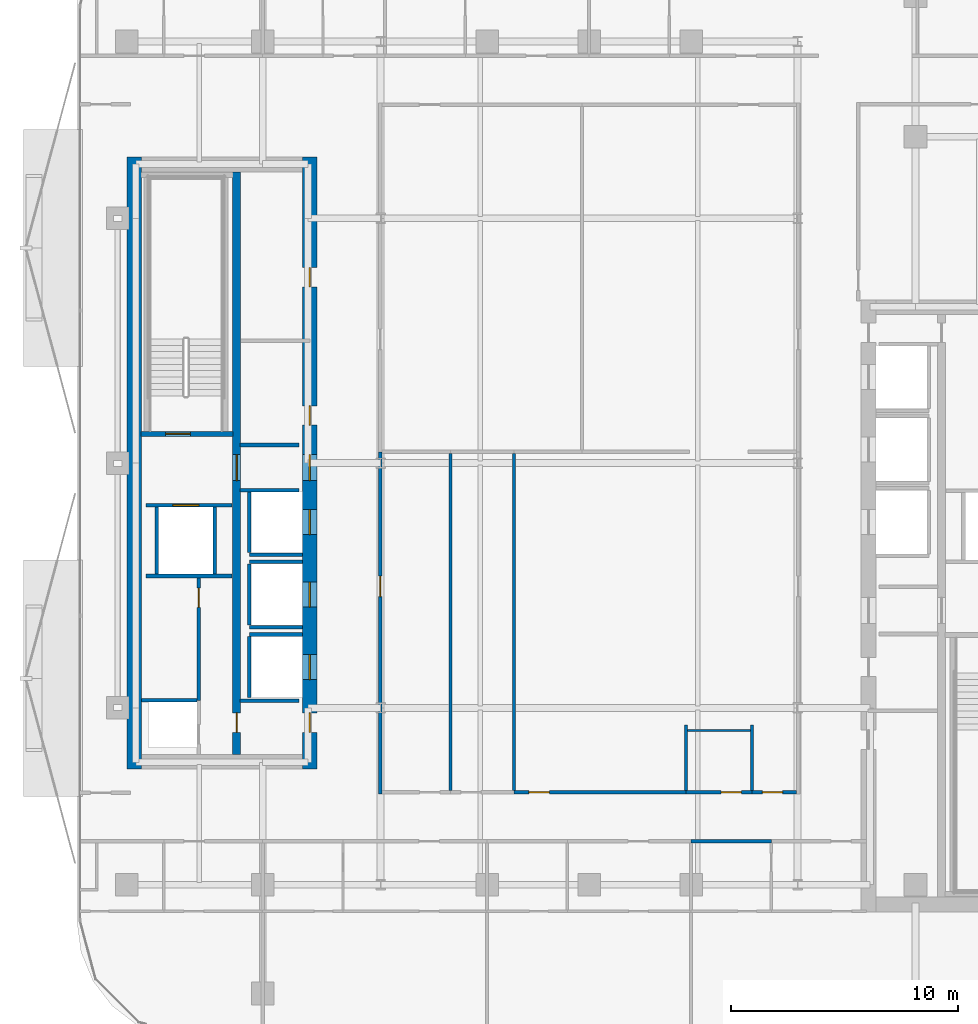
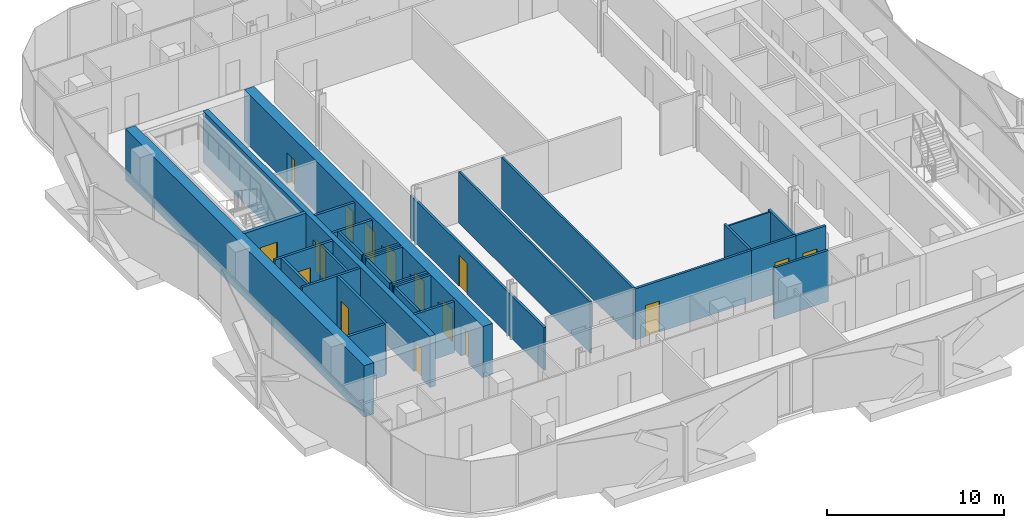
# One storey, part 4 of 17: 30 walls, 16 doors, 16 openings.
"""IFC4 building model written with IfcOpenShell, lengths in metres."""

import ifcopenshell
import ifcopenshell.guid

model = None  # the IFC model being written
_history = None  # IfcOwnerHistory: only IFC2X3 demands one
_inside = {}  # id of a spatial element -> (the spatial element, [elements in it])
_under = {}  # id of a project, library or spatial element -> (it, [spatial elements below it])
_declared = {}  # id of a project -> (the project, [libraries it declares])
_typed = {}  # id of a type object -> (the type object, [elements of that type])
_made_of = {}  # id of a material, layer set ... -> (it, [elements and type objects made of it])


def new_model(schema):
    """Start an empty IFC model of exactly this schema.

    Asked for "IFC4X3", IfcOpenShell would pick the latest addendum, in which some entities
    have other attributes; the version numbers below select the first issue.
    IFC2X3 requires an IfcOwnerHistory on every rooted entity: one is made here for all.
    """
    global model, _history
    if schema == "IFC4X3":
        model = ifcopenshell.file(schema_version=(4, 3, 0, 0))
    else:
        model = ifcopenshell.file(schema=schema)
    _inside.clear()
    _under.clear()
    _declared.clear()
    _typed.clear()
    _made_of.clear()
    _history = None
    if model.schema == "IFC2X3":
        org = make("IfcOrganization", Name="unknown")
        user = make(
            "IfcPersonAndOrganization",
            ThePerson=make("IfcPerson", FamilyName="unknown"),
            TheOrganization=org,
        )
        app = make(
            "IfcApplication",
            ApplicationDeveloper=org,
            Version="unknown",
            ApplicationFullName="unknown",
            ApplicationIdentifier="unknown",
        )
        _history = make(
            "IfcOwnerHistory",
            OwningUser=user,
            OwningApplication=app,
            ChangeAction="ADDED",
            CreationDate=0,
        )
    return model


def make(cls, **values):
    """One entity of the class cls with the attributes given. An attribute that is None is left unset."""
    return model.create_entity(
        cls, **{name: value for name, value in values.items() if value is not None}
    )


def rooted(cls, **values):
    """An entity with a GlobalId (a new one), such as an element, a storey or a relation."""
    return make(cls, GlobalId=ifcopenshell.guid.new(), OwnerHistory=_history, **values)


def si_unit(unit_type, name, prefix=None):
    """IfcSIUnit, for example si_unit("LENGTHUNIT", "METRE", prefix="MILLI")."""
    return make("IfcSIUnit", UnitType=unit_type, Prefix=prefix, Name=name)


def assignment(units):
    """IfcUnitAssignment: the units of a project."""
    return None if units is None else make("IfcUnitAssignment", Units=units)


def point(xyz):
    """IfcCartesianPoint."""
    return None if xyz is None else make("IfcCartesianPoint", Coordinates=xyz)


def direction(xyz):
    """IfcDirection."""
    return None if xyz is None else make("IfcDirection", DirectionRatios=xyz)


def frame(location, z_axis=None, x_axis=None):
    """IfcAxis2Placement3D, a coordinate frame: its origin and axes. An axis left out is left unset."""
    return make(
        "IfcAxis2Placement3D",
        Location=point(location),
        Axis=direction(z_axis),
        RefDirection=direction(x_axis),
    )


def frame_2d(location, x_axis=None):
    """IfcAxis2Placement2D, a coordinate frame in the plane: its origin and x axis."""
    return make(
        "IfcAxis2Placement2D", Location=point(location), RefDirection=direction(x_axis)
    )


def origin():
    """The frame at (0, 0, 0) with its axes left unset."""
    return frame((0.0, 0.0, 0.0))


def place(relative_to, where):
    """IfcLocalPlacement: puts the frame where relative to a parent placement (None: the world)."""
    return make(
        "IfcLocalPlacement", PlacementRelTo=relative_to, RelativePlacement=where
    )


def context(
    kind, dimensions, precision=None, world=None, true_north=None, identifier=None
):
    """IfcGeometricRepresentationContext, for example the 3D "Model" context."""
    return make(
        "IfcGeometricRepresentationContext",
        ContextIdentifier=identifier,
        ContextType=kind,
        CoordinateSpaceDimension=dimensions,
        Precision=precision,
        WorldCoordinateSystem=world,
        TrueNorth=true_north,
    )


def subcontext(parent, identifier, kind, view, scale=None):
    """IfcGeometricRepresentationSubContext, for example "Body" below "Model"."""
    return make(
        "IfcGeometricRepresentationSubContext",
        ContextIdentifier=identifier,
        ContextType=kind,
        ParentContext=parent,
        TargetScale=scale,
        TargetView=view,
    )


def project(units=None, contexts=None):
    """IfcProject with its units and contexts."""
    return rooted(
        "IfcProject",
        Name="project",
        RepresentationContexts=contexts,
        UnitsInContext=assignment(units),
    )


def spatial(cls, under=None, at=None, **own):
    """A site, building, storey or space (cls), placed at a placement, below another one or the project."""
    s = rooted(cls, ObjectPlacement=at, **own)
    if under is not None:
        _under.setdefault(under.id(), (under, []))[1].append(s)
    return s


def profile(cls, at=None, kind="AREA", **sizes):
    """A parametric profile (cls). Its sizes go by their IFC names, for example OverallWidth=200.0."""
    return make(cls, ProfileType=kind, Position=at, **sizes)


def rectangle(**sizes):
    """IfcRectangleProfileDef."""
    return profile("IfcRectangleProfileDef", **sizes)


def extrude(swept, where, along, depth):
    """IfcExtrudedAreaSolid: the profile swept, set in the frame where, extruded along a direction by depth."""
    return make(
        "IfcExtrudedAreaSolid",
        SweptArea=swept,
        Position=where,
        ExtrudedDirection=direction(along),
        Depth=depth,
    )


def shape(context_of_items, identifier, shape_type, items):
    """IfcShapeRepresentation: the items that make up one representation, for example the "Body"."""
    return make(
        "IfcShapeRepresentation",
        ContextOfItems=context_of_items,
        RepresentationIdentifier=identifier,
        RepresentationType=shape_type,
        Items=items,
    )


def material(Name=None, Category=None):
    """IfcMaterial."""
    return make("IfcMaterial", Name=Name, Category=Category)


def layer(
    of_material, thickness, ventilated=None, Name=None, Category=None, Priority=None
):
    """IfcMaterialLayer: one layer of a wall or slab, of a material (None: an air gap)."""
    return make(
        "IfcMaterialLayer",
        Material=of_material,
        LayerThickness=thickness,
        IsVentilated=ventilated,
        Name=Name,
        Category=Category,
        Priority=Priority,
    )


def layer_set(layers, Name=None):
    """IfcMaterialLayerSet."""
    return make("IfcMaterialLayerSet", MaterialLayers=layers, LayerSetName=Name)


def made_of(thing, what):
    """Note that an element or type object is made of a material, layer set ...; save() writes the relation."""
    if what is not None:
        _made_of.setdefault(what.id(), (what, []))[1].append(thing)
    return thing


def type_object(cls, material=None, **own):
    """A type object (cls), such as IfcWallType, which elements share."""
    return made_of(rooted(cls, **own), material)


def element(
    cls,
    number,
    at=None,
    inside=None,
    cuts=None,
    type_object=None,
    material=None,
    context=None,
    identifier="Body",
    shape_type=None,
    held_by="IfcProductDefinitionShape",
    body=None,
    shapes=None,
    **own,
):
    """One element of the class cls, such as IfcWall. Its Tag is "e" and its number.

    at: its placement. inside: the storey or other place that contains it. cuts: it is an
    opening in that element (IfcRelVoidsElement). A single representation is given by context,
    identifier, shape_type and body (its items); several are given by shapes. held_by: the class
    of the entity that holds the representations. save() writes the other relations.
    """
    e = rooted(cls, Tag="e%d" % number, ObjectPlacement=at, **own)
    if body is not None:
        shapes = [shape(context, identifier, shape_type, body)]
    if shapes is not None:
        e.Representation = make(held_by, Representations=shapes)
    if inside is not None:
        _inside.setdefault(inside.id(), (inside, []))[1].append(e)
    if cuts is not None:
        rooted(
            "IfcRelVoidsElement", RelatingBuildingElement=cuts, RelatedOpeningElement=e
        )
    if type_object is not None:
        _typed.setdefault(type_object.id(), (type_object, []))[1].append(e)
    return made_of(e, material)


def fill(opening, filler):
    """IfcRelFillsElement: the door or window that sits in an opening."""
    return rooted(
        "IfcRelFillsElement",
        RelatingOpeningElement=opening,
        RelatedBuildingElement=filler,
    )


def aggregate(whole, parts):
    """IfcRelAggregates: a whole, such as a stair, and the parts it consists of."""
    return rooted("IfcRelAggregates", RelatingObject=whole, RelatedObjects=parts)


def save(model, path):
    """Write the relations noted so far, then the file.

    IfcRelAggregates (storeys below a building ...), IfcRelContainedInSpatialStructure (elements
    in a storey), IfcRelDefinesByType, IfcRelAssociatesMaterial and IfcRelDeclares: one each for
    every whole, place, type object, material and project.
    """
    for whole, parts in _under.values():
        aggregate(whole, parts)
    for where, things in _inside.values():
        rooted(
            "IfcRelContainedInSpatialStructure",
            RelatedElements=things,
            RelatingStructure=where,
        )
    for kind, things in _typed.values():
        rooted("IfcRelDefinesByType", RelatedObjects=things, RelatingType=kind)
    for what, things in _made_of.values():
        rooted("IfcRelAssociatesMaterial", RelatedObjects=things, RelatingMaterial=what)
    for by, libraries in _declared.values():
        rooted("IfcRelDeclares", RelatingContext=by, RelatedDefinitions=libraries)
    model.write(path)


model = new_model("IFC4")

# Units and contexts
model_context = context("Model", 3, precision=1e-05, world=origin(), true_north=direction((0.0, 1.0)))
body_context = subcontext(model_context, "Body", "Model", "MODEL_VIEW")
ifc_project = project(units=[si_unit("LENGTHUNIT", "METRE"), si_unit("AREAUNIT", "SQUARE_METRE"), si_unit("VOLUMEUNIT", "CUBIC_METRE"), si_unit("PLANEANGLEUNIT", "RADIAN"), si_unit("MASSUNIT", "GRAM", prefix="KILO")], contexts=[model_context])

# Site, building, storey
site_placement = place(None, origin())
site = spatial("IfcSite", under=ifc_project, at=site_placement, CompositionType="ELEMENT")
building_placement = place(site_placement, origin())
building = spatial("IfcBuilding", under=site, at=building_placement, Name="Khairoan Windgate Tower", CompositionType="ELEMENT")
storey_placement = place(building_placement, frame((0.0, 0.0, 176.39990234375)))
storey = spatial("IfcBuildingStorey", under=building, at=storey_placement, Name="L40", CompositionType="ELEMENT", Elevation=176.39990234375)

# Walls
ifc_material_1 = material(Name="Moisture-Resistant Gypsum Partition", Category="gypsum")
ifc_layer_1 = layer(ifc_material_1, 0.10009765625, Name="Moisture-Resistant Gypsum Partition")
ifc_layer_set_1 = layer_set([ifc_layer_1], Name="Moisture-Resistant Gypsum Partition")
wall_type_1 = type_object("IfcWallType", Name="Bathroom Wet-Area Partition Wall", PredefinedType="PARTITIONING", material=ifc_layer_set_1)
wall_1_placement = place(storey_placement, frame((4.35009765625, -11.800048828125, 0.0), z_axis=(0.0, 0.0, 1.0), x_axis=(1.0, 0.0, 0.0)))
element("IfcWall", 1, at=wall_1_placement, inside=storey, type_object=wall_type_1, Name="L40 Wet Room Side Wall 095", PredefinedType="PARTITIONING", context=body_context, shape_type="SweptSolid", body=[
    extrude(rectangle(XDim=2.760009765625, YDim=0.10009765625, at=frame_2d((1.3798828125, 0.0))), origin(), (0.0, 0.0, 1.0), 3.5400390625),
])
ifc_material_2 = material(Name="Concrete C40/50", Category="concrete")
ifc_layer_2 = layer(ifc_material_2, 0.159912109375, Name="Concrete C40/50")
ifc_layer_set_2 = layer_set([ifc_layer_2], Name="Concrete C40/50")
wall_type_2 = type_object("IfcWallType", Name="Core and Hoistway Enclosure Wall", PredefinedType="STANDARD", material=ifc_layer_set_2)
wall_2_placement = place(storey_placement, frame((-14.989990234375, -4.0400390625, 0.0), z_axis=(0.0, 0.0, 1.0), x_axis=(1.0, 0.0, 0.0)))
element("IfcWall", 2, at=wall_2_placement, inside=storey, type_object=wall_type_2, Name="L40 Lift PL4 Hoistway Divider S", PredefinedType="STANDARD", context=body_context, shape_type="SweptSolid", body=[
    extrude(rectangle(XDim=2.340087890625, YDim=0.159912109375, at=frame_2d((1.169921875, 0.0))), origin(), (0.0, 0.0, 1.0), 3.5400390625),
])
wall_3_placement = place(storey_placement, frame((-14.989990234375, -3.949951171875, 0.0), z_axis=(0.0, 0.0, 1.0), x_axis=(0.0, 1.0, 0.0)))
element("IfcWall", 3, at=wall_3_placement, inside=storey, type_object=wall_type_2, Name="L40 Lift PL4 Hoistway Back Wall", PredefinedType="STANDARD", context=body_context, shape_type="SweptSolid", body=[
    extrude(rectangle(XDim=2.699951171875, YDim=0.159912109375, at=frame_2d((1.35009765625, 0.0))), origin(), (0.0, 0.0, 1.0), 3.5400390625),
])
for number, where, z_axis, x_axis, name in (
    (4, (-14.989990234375, -7.239990234375, 0.0), (0.0, 0.0, 1.0), (1.0, 0.0, 0.0), "L40 Lift PL5 Hoistway Divider S"),
    (5, (-14.989990234375, -4.360107421875, 0.0), (0.0, 0.0, 1.0), (1.0, 0.0, 0.0), "L40 Lift PL5 Hoistway Divider N"),
):
    element("IfcWall", number, at=place(storey_placement, frame(where, z_axis=z_axis, x_axis=x_axis)), inside=storey, type_object=wall_type_2, Name=name, PredefinedType="STANDARD", context=body_context, shape_type="SweptSolid", body=[
        extrude(rectangle(XDim=2.340087890625, YDim=0.159912109375, at=frame_2d((1.169921875, 0.0))), origin(), (0.0, 0.0, 1.0), 3.5400390625),
    ])
wall_4_placement = place(storey_placement, frame((-14.989990234375, -7.14990234375, 0.0), z_axis=(0.0, 0.0, 1.0), x_axis=(0.0, 1.0, 0.0)))
element("IfcWall", 6, at=wall_4_placement, inside=storey, type_object=wall_type_2, Name="L40 Lift PL5 Hoistway Back Wall", PredefinedType="STANDARD", context=body_context, shape_type="SweptSolid", body=[
    extrude(rectangle(XDim=2.699951171875, YDim=0.159912109375, at=frame_2d((1.35009765625, 0.0))), origin(), (0.0, 0.0, 1.0), 3.5400390625),
])
wall_5_placement = place(storey_placement, frame((-14.989990234375, -7.56005859375, 0.0), z_axis=(0.0, 0.0, 1.0), x_axis=(1.0, 0.0, 0.0)))
element("IfcWall", 7, at=wall_5_placement, inside=storey, type_object=wall_type_2, Name="L40 Lift PL6 Hoistway Divider N", PredefinedType="STANDARD", context=body_context, shape_type="SweptSolid", body=[
    extrude(rectangle(XDim=2.340087890625, YDim=0.159912109375, at=frame_2d((1.169921875, 0.0))), origin(), (0.0, 0.0, 1.0), 3.5400390625),
])
wall_6_placement = place(storey_placement, frame((-14.989990234375, -10.35009765625, 0.0), z_axis=(0.0, 0.0, 1.0), x_axis=(0.0, 1.0, 0.0)))
element("IfcWall", 8, at=wall_6_placement, inside=storey, type_object=wall_type_2, Name="L40 Lift PL6 Hoistway Back Wall", PredefinedType="STANDARD", context=body_context, shape_type="SweptSolid", body=[
    extrude(rectangle(XDim=2.7001953125, YDim=0.159912109375, at=frame_2d((1.35009765625, 0.0))), origin(), (0.0, 0.0, 1.0), 3.5400390625),
])

# Wall, opening, door
wall_7_placement = place(storey_placement, frame((-19.550048828125, -1.860107421875, 0.0), z_axis=(0.0, 0.0, 1.0), x_axis=(1.0, 0.0, 0.0)))
wall_7 = element("IfcWall", 9, at=wall_7_placement, inside=storey, type_object=wall_type_2, Name="L40 Core Shaft Wall SW-FL2-L40", PredefinedType="STANDARD", context=body_context, shape_type="SweptSolid", body=[
    extrude(rectangle(XDim=3.800048828125, YDim=0.159912109375, at=frame_2d((1.89990234375, 0.0))), origin(), (0.0, 0.0, 1.0), 3.5400390625),
])
opening_1_placement = place(wall_7_placement, frame((1.179931640625, 0.0, 0.0)))
opening_1 = element("IfcOpeningElement", 10, at=opening_1_placement, cuts=wall_7, Name="Opening LD-FL", PredefinedType="OPENING", context=body_context, shape_type="SweptSolid", body=[
    extrude(rectangle(XDim=1.14990234375, YDim=2.199951171875, at=frame_2d((0.574951171875, 1.10009765625))), frame((0.0, 0.08984375, 0.0), z_axis=(0.0, -1.0, 0.0), x_axis=(1.0, 0.0, 0.0)), (0.0, 0.0, 1.0), 0.179931640625),
])
ifc_material_3 = material(Name="Steel S355", Category="steel")
door_type_1 = type_object("IfcDoorType", Name="Firefighting Lift Sliding Landing Door LD-FL 1150x2200", OperationType="DOUBLE_DOOR_SLIDING", PredefinedType="DOOR", material=ifc_material_3)
door_1_placement = place(opening_1_placement, origin())
door_1 = element("IfcDoor", 11, at=door_1_placement, inside=storey, type_object=door_type_1, Name="L40 Firefighting Lift FL2 Landing Door", OperationType="DOUBLE_DOOR_SLIDING", OverallHeight=2.199951171875, OverallWidth=1.14990234375, PredefinedType="DOOR", context=body_context, shape_type="SweptSolid", body=[
    extrude(rectangle(XDim=1.14990234375, YDim=2.199951171875, at=frame_2d((0.574951171875, 1.10009765625))), frame((0.0, 0.02490234375, 0.0), z_axis=(0.0, -1.0, 0.0), x_axis=(1.0, 0.0, 0.0)), (0.0, 0.0, 1.0), 0.050048828125),
])
fill(opening_1, door_1)

# Walls
wall_8_placement = place(storey_placement, frame((-19.550048828125, -4.97998046875, 0.0), z_axis=(0.0, 0.0, 1.0), x_axis=(1.0, 0.0, 0.0)))
element("IfcWall", 12, at=wall_8_placement, inside=storey, type_object=wall_type_2, Name="L40 Core Shaft Wall SW-FL2B-L40", PredefinedType="STANDARD", context=body_context, shape_type="SweptSolid", body=[
    extrude(rectangle(XDim=3.800048828125, YDim=0.159912109375, at=frame_2d((1.89990234375, 0.0))), origin(), (0.0, 0.0, 1.0), 3.5400390625),
])
for number, where, z_axis, x_axis, name in (
    (13, (-19.080078125, -4.89990234375, 0.0), (0.0, 0.0, 1.0), (0.0, 1.0, 0.0), "L40 Core Shaft Wall SW-FL2W-L40"),
    (14, (-16.52001953125, -4.89990234375, 0.0), (0.0, 0.0, 1.0), (0.0, 1.0, 0.0), "L40 Core Shaft Wall SW-FL2E-L40"),
):
    element("IfcWall", number, at=place(storey_placement, frame(where, z_axis=z_axis, x_axis=x_axis)), inside=storey, type_object=wall_type_2, Name=name, PredefinedType="STANDARD", context=body_context, shape_type="SweptSolid", body=[
        extrude(rectangle(XDim=2.9599609375, YDim=0.159912109375, at=frame_2d((1.47998046875, 0.0))), origin(), (0.0, 0.0, 1.0), 3.5400390625),
    ])
for number, where, z_axis, x_axis, name in (
    (15, (-15.39990234375, 0.800048828125, 0.0), (0.0, 0.0, 1.0), (1.0, 0.0, 0.0), "L40 Core Shaft Wall SW-WV1-L40"),
    (16, (-15.39990234375, -1.199951171875, 0.0), (0.0, 0.0, 1.0), (1.0, 0.0, 0.0), "L40 Core Shaft Wall SW-WV2-L40"),
    (17, (-15.39990234375, -10.47998046875, 0.0), (0.0, 0.0, 1.0), (1.0, 0.0, 0.0), "L40 Core Shaft Wall SW-WSV-L40"),
):
    element("IfcWall", number, at=place(storey_placement, frame(where, z_axis=z_axis, x_axis=x_axis)), inside=storey, type_object=wall_type_2, Name=name, PredefinedType="STANDARD", context=body_context, shape_type="SweptSolid", body=[
        extrude(rectangle(XDim=2.599853515625, YDim=0.159912109375, at=frame_2d((1.2998046875, 0.0))), origin(), (0.0, 0.0, 1.0), 3.5400390625),
    ])
ifc_material_4 = material(Name="Acoustic Fire-Rated Gypsum Partition", Category="gypsum")
ifc_layer_3 = layer(ifc_material_4, 0.139892578125, Name="Acoustic Fire-Rated Gypsum Partition")
ifc_layer_set_3 = layer_set([ifc_layer_3], Name="Acoustic Fire-Rated Gypsum Partition")
wall_type_3 = type_object("IfcWallType", Name="Inter-Tenancy Compartment Wall", PredefinedType="PARTITIONING", material=ifc_layer_set_3)
for number, where, z_axis, x_axis, name in (
    (18, (-6.1201171875, -14.445068359375, 0.0), (0.0, 0.0, 1.0), (0.0, 1.0, 0.0), "L40 Interior Partition 044"),
    (19, (-3.320068359375, -14.445068359375, 0.0), (0.0, 0.0, 1.0), (0.0, 1.0, 0.0), "L40 Interior Partition 046"),
):
    element("IfcWall", number, at=place(storey_placement, frame(where, z_axis=z_axis, x_axis=x_axis)), inside=storey, type_object=wall_type_3, Name=name, PredefinedType="PARTITIONING", context=body_context, shape_type="SweptSolid", body=[
        extrude(rectangle(XDim=14.875, YDim=0.139892578125, at=frame_2d((7.4375, 0.0))), origin(), (0.0, 0.0, 1.0), 3.5400390625),
    ])
for number, where, z_axis, x_axis, name in (
    (20, (4.280029296875, -14.445068359375, 0.0), (0.0, 0.0, 1.0), (0.0, 1.0, 0.0), "L40 Interior Partition 048"),
    (21, (7.179931640625, -14.445068359375, 0.0), (0.0, 0.0, 1.0), (0.0, 1.0, 0.0), "L40 Interior Partition 051"),
):
    element("IfcWall", number, at=place(storey_placement, frame(where, z_axis=z_axis, x_axis=x_axis)), inside=storey, type_object=wall_type_3, Name=name, PredefinedType="PARTITIONING", context=body_context, shape_type="SweptSolid", body=[
        extrude(rectangle(XDim=2.885009765625, YDim=0.139892578125, at=frame_2d((1.4423828125, 0.0))), origin(), (0.0, 0.0, 1.0), 3.5400390625),
    ])

# Wall, opening, door
ifc_material_5 = material(Name="Concrete C40/50", Category="concrete")
ifc_layer_4 = layer(ifc_material_5, 0.159912109375, Name="Concrete C40/50")
ifc_layer_set_4 = layer_set([ifc_layer_4], Name="Concrete C40/50")
wall_type_4 = type_object("IfcWallType", Name="Plant and Refuge Compartment Wall", PredefinedType="PARTITIONING", material=ifc_layer_set_4)
wall_9_placement = place(storey_placement, frame((-17.22998046875, -10.469970703125, 0.0), z_axis=(0.0, 0.0, 1.0), x_axis=(0.0, 1.0, 0.0)))
wall_9 = element("IfcWall", 22, at=wall_9_placement, inside=storey, type_object=wall_type_4, Name="L40 Interior Partition 002", PredefinedType="PARTITIONING", context=body_context, shape_type="SweptSolid", body=[
    extrude(rectangle(XDim=5.409912109375, YDim=0.159912109375, at=frame_2d((2.705078125, 0.0))), origin(), (0.0, 0.0, 1.0), 3.5400390625),
])
opening_2_placement = place(wall_9_placement, frame((4.10009765625, 0.0, 0.0)))
opening_2 = element("IfcOpeningElement", 23, at=opening_2_placement, cuts=wall_9, Name="Opening FD-SRV", PredefinedType="OPENING", context=body_context, shape_type="SweptSolid", body=[
    extrude(rectangle(XDim=0.85009765625, YDim=2.10009765625, at=frame_2d((0.425048828125, 1.050048828125))), frame((0.0, 0.08984375, 0.0), z_axis=(0.0, -1.0, 0.0), x_axis=(1.0, 0.0, 0.0)), (0.0, 0.0, 1.0), 0.179931640625),
])
ifc_material_6 = material(Name="Steel S355", Category="steel")
door_type_2 = type_object("IfcDoorType", Name="Core Service and Riser Fire Door FD-SRV 850x2100", OperationType="NOTDEFINED", PredefinedType="DOOR", material=ifc_material_6)
door_2_placement = place(opening_2_placement, origin())
door_2 = element("IfcDoor", 24, at=door_2_placement, inside=storey, type_object=door_type_2, Name="L40 L40-04-L40-06 Door", OperationType="SINGLE_SWING_LEFT", OverallHeight=2.10009765625, OverallWidth=0.85009765625, PredefinedType="DOOR", context=body_context, shape_type="SweptSolid", body=[
    extrude(rectangle(XDim=0.85009765625, YDim=2.10009765625, at=frame_2d((0.425048828125, 1.050048828125))), frame((0.0, 0.02490234375, 0.0), z_axis=(0.0, -1.0, 0.0), x_axis=(1.0, 0.0, 0.0)), (0.0, 0.0, 1.0), 0.050048828125),
])
fill(opening_2, door_2)

# Wall
wall_10_placement = place(storey_placement, frame((-19.75, -10.469970703125, 0.0), z_axis=(0.0, 0.0, 1.0), x_axis=(1.0, 0.0, 0.0)))
element("IfcWall", 25, at=wall_10_placement, inside=storey, type_object=wall_type_4, Name="L40 Interior Partition 003", PredefinedType="PARTITIONING", context=body_context, shape_type="SweptSolid", body=[
    extrude(rectangle(XDim=2.43994140625, YDim=0.159912109375, at=frame_2d((1.219970703125, 0.0))), origin(), (0.0, 0.0, 1.0), 3.5400390625),
])

# Wall, opening, door
ifc_material_7 = material(Name="Acoustic Fire-Rated Gypsum Partition", Category="gypsum")
ifc_layer_5 = layer(ifc_material_7, 0.14990234375, Name="Acoustic Fire-Rated Gypsum Partition")
ifc_layer_set_5 = layer_set([ifc_layer_5], Name="Acoustic Fire-Rated Gypsum Partition")
wall_type_5 = type_object("IfcWallType", Name="Rated Corridor Partition Wall", PredefinedType="PARTITIONING", material=ifc_layer_set_5)
wall_11_placement = place(storey_placement, frame((-9.219970703125, -14.594970703125, 0.0), z_axis=(0.0, 0.0, 1.0), x_axis=(0.0, 1.0, 0.0)))
wall_11 = element("IfcWall", 26, at=wall_11_placement, inside=storey, type_object=wall_type_5, Name="L40 Interior Partition 011", PredefinedType="PARTITIONING", context=body_context, shape_type="SweptSolid", body=[
    extrude(rectangle(XDim=15.094970703125, YDim=0.14990234375, at=frame_2d((7.54736328125, 0.0))), origin(), (0.0, 0.0, 1.0), 2.9521484375),
])
opening_3_placement = place(wall_11_placement, frame((8.70654296875, 0.0, 0.0)))
opening_3 = element("IfcOpeningElement", 27, at=opening_3_placement, cuts=wall_11, Name="Opening FD-ENT", PredefinedType="OPENING", context=body_context, shape_type="SweptSolid", body=[
    extrude(rectangle(XDim=0.89990234375, YDim=2.14990234375, at=frame_2d((0.449951171875, 1.074951171875))), frame((0.0, 0.0849609375, 0.0), z_axis=(0.0, -1.0, 0.0), x_axis=(1.0, 0.0, 0.0)), (0.0, 0.0, 1.0), 0.169921875),
])
ifc_material_8 = material(Name="Timber Fire-Rated Core", Category="wood")
door_type_3 = type_object("IfcDoorType", Name="Unit and Office Fire Entrance Door FD-ENT 900x2150", OperationType="NOTDEFINED", PredefinedType="DOOR", material=ifc_material_8)
door_3_placement = place(opening_3_placement, origin())
door_3 = element("IfcDoor", 28, at=door_3_placement, inside=storey, type_object=door_type_3, Name="L40 L40-28-L40-32 Door", OperationType="SINGLE_SWING_LEFT", OverallHeight=2.14990234375, OverallWidth=0.89990234375, PredefinedType="DOOR", context=body_context, shape_type="SweptSolid", body=[
    extrude(rectangle(XDim=0.89990234375, YDim=2.14990234375, at=frame_2d((0.449951171875, 1.074951171875))), frame((0.0, 0.02490234375, 0.0), z_axis=(0.0, -1.0, 0.0), x_axis=(1.0, 0.0, 0.0)), (0.0, 0.0, 1.0), 0.050048828125),
])
fill(opening_3, door_3)

wall_12_placement = place(storey_placement, frame((-3.320068359375, -14.52001953125, 0.0), z_axis=(0.0, 0.0, 1.0), x_axis=(1.0, 0.0, 0.0)))
wall_12 = element("IfcWall", 29, at=wall_12_placement, inside=storey, type_object=wall_type_5, Name="L40 Interior Partition 032", PredefinedType="PARTITIONING", context=body_context, shape_type="SweptSolid", body=[
    extrude(rectangle(XDim=7.60009765625, YDim=0.14990234375, at=frame_2d((3.800048828125, 0.0))), origin(), (0.0, 0.0, 1.0), 3.5400390625),
])
opening_4_placement = place(wall_12_placement, frame((0.66650390625, 0.0, 0.0)))
opening_4 = element("IfcOpeningElement", 30, at=opening_4_placement, cuts=wall_12, Name="Opening FD-ENT", PredefinedType="OPENING", context=body_context, shape_type="SweptSolid", body=[
    extrude(rectangle(XDim=0.89990234375, YDim=2.14990234375, at=frame_2d((0.449951171875, 1.074951171875))), frame((0.0, 0.0849609375, 0.0), z_axis=(0.0, -1.0, 0.0), x_axis=(1.0, 0.0, 0.0)), (0.0, 0.0, 1.0), 0.169921875),
])
door_4_placement = place(opening_4_placement, origin())
door_4 = element("IfcDoor", 31, at=door_4_placement, inside=storey, type_object=door_type_3, Name="L40 L40-31-L40-34 Door", OperationType="SINGLE_SWING_LEFT", OverallHeight=2.14990234375, OverallWidth=0.89990234375, PredefinedType="DOOR", context=body_context, shape_type="SweptSolid", body=[
    extrude(rectangle(XDim=0.89990234375, YDim=2.14990234375, at=frame_2d((0.449951171875, 1.074951171875))), frame((0.0, 0.02490234375, 0.0), z_axis=(0.0, -1.0, 0.0), x_axis=(1.0, 0.0, 0.0)), (0.0, 0.0, 1.0), 0.050048828125),
])
fill(opening_4, door_4)

wall_13_placement = place(storey_placement, frame((4.280029296875, -14.52001953125, 0.0), z_axis=(0.0, 0.0, 1.0), x_axis=(1.0, 0.0, 0.0)))
wall_13 = element("IfcWall", 32, at=wall_13_placement, inside=storey, type_object=wall_type_5, Name="L40 Interior Partition 033", PredefinedType="PARTITIONING", context=body_context, shape_type="SweptSolid", body=[
    extrude(rectangle(XDim=2.89990234375, YDim=0.14990234375, at=frame_2d((1.449951171875, 0.0))), origin(), (0.0, 0.0, 1.0), 3.5400390625),
])
opening_5_placement = place(wall_13_placement, frame((1.5400390625, 0.0, 0.0)))
opening_5 = element("IfcOpeningElement", 33, at=opening_5_placement, cuts=wall_13, Name="Opening FD-ENT", PredefinedType="OPENING", context=body_context, shape_type="SweptSolid", body=[
    extrude(rectangle(XDim=0.89990234375, YDim=2.14990234375, at=frame_2d((0.449951171875, 1.074951171875))), frame((0.0, 0.0849609375, 0.0), z_axis=(0.0, -1.0, 0.0), x_axis=(1.0, 0.0, 0.0)), (0.0, 0.0, 1.0), 0.169921875),
])
door_5_placement = place(opening_5_placement, origin())
door_5 = element("IfcDoor", 34, at=door_5_placement, inside=storey, type_object=door_type_3, Name="L40 L40-31-L40-35 Door", OperationType="SINGLE_SWING_RIGHT", OverallHeight=2.14990234375, OverallWidth=0.89990234375, PredefinedType="DOOR", context=body_context, shape_type="SweptSolid", body=[
    extrude(rectangle(XDim=0.89990234375, YDim=2.14990234375, at=frame_2d((0.449951171875, 1.074951171875))), frame((0.0, 0.02490234375, 0.0), z_axis=(0.0, -1.0, 0.0), x_axis=(1.0, 0.0, 0.0)), (0.0, 0.0, 1.0), 0.050048828125),
])
fill(opening_5, door_5)

wall_14_placement = place(storey_placement, frame((7.179931640625, -14.52001953125, 0.0), z_axis=(0.0, 0.0, 1.0), x_axis=(1.0, 0.0, 0.0)))
wall_14 = element("IfcWall", 35, at=wall_14_placement, inside=storey, type_object=wall_type_5, Name="L40 Interior Partition 034", PredefinedType="PARTITIONING", context=body_context, shape_type="SweptSolid", body=[
    extrude(rectangle(XDim=1.965087890625, YDim=0.14990234375, at=frame_2d((0.982421875, 0.0))), origin(), (0.0, 0.0, 1.0), 3.5400390625),
])
opening_6_placement = place(wall_14_placement, frame((0.4599609375, 0.0, 0.0)))
opening_6 = element("IfcOpeningElement", 36, at=opening_6_placement, cuts=wall_14, Name="Opening FD-ENT", PredefinedType="OPENING", context=body_context, shape_type="SweptSolid", body=[
    extrude(rectangle(XDim=0.89990234375, YDim=2.14990234375, at=frame_2d((0.449951171875, 1.074951171875))), frame((0.0, 0.0849609375, 0.0), z_axis=(0.0, -1.0, 0.0), x_axis=(1.0, 0.0, 0.0)), (0.0, 0.0, 1.0), 0.169921875),
])
door_6_placement = place(opening_6_placement, origin())
door_6 = element("IfcDoor", 37, at=door_6_placement, inside=storey, type_object=door_type_3, Name="L40 L40-31-L40-36 Door", OperationType="SINGLE_SWING_LEFT", OverallHeight=2.14990234375, OverallWidth=0.89990234375, PredefinedType="DOOR", context=body_context, shape_type="SweptSolid", body=[
    extrude(rectangle(XDim=0.89990234375, YDim=2.14990234375, at=frame_2d((0.449951171875, 1.074951171875))), frame((0.0, 0.02490234375, 0.0), z_axis=(0.0, -1.0, 0.0), x_axis=(1.0, 0.0, 0.0)), (0.0, 0.0, 1.0), 0.050048828125),
])
fill(opening_6, door_6)

# Walls
wall_15_placement = place(storey_placement, frame((4.5, -16.679931640625, 0.0), z_axis=(0.0, 0.0, 1.0), x_axis=(1.0, 0.0, 0.0)))
element("IfcWall", 38, at=wall_15_placement, inside=storey, type_object=wall_type_5, Name="L40 Interior Partition 041", PredefinedType="PARTITIONING", context=body_context, shape_type="SweptSolid", body=[
    extrude(rectangle(XDim=3.5400390625, YDim=0.14990234375, at=frame_2d((1.77001953125, 0.0))), origin(), (0.0, 0.0, 1.0), 3.5400390625),
])
ifc_material_9 = material(Name="Concrete C60/75", Category="concrete")
ifc_layer_6 = layer(ifc_material_9, 0.64990234375, Name="Concrete C60/75")
ifc_layer_set_6 = layer_set([ifc_layer_6], Name="Concrete C60/75")
wall_type_6 = type_object("IfcWallType", Name="Shear Wall CW-W2 650mm", PredefinedType="SHEAR", material=ifc_layer_set_6)
wall_16_placement = place(storey_placement, frame((-20.074951171875, -13.5, 0.0), z_axis=(0.0, 0.0, 1.0), x_axis=(0.0, 1.0, 0.0)))
element("IfcWall", 39, at=wall_16_placement, inside=storey, type_object=wall_type_6, Name="W Core West Shear Wall L40", PredefinedType="SHEAR", context=body_context, shape_type="SweptSolid", body=[
    extrude(rectangle(XDim=27.0, YDim=0.64990234375, at=frame_2d((13.5, 0.0))), origin(), (0.0, 0.0, 1.0), 3.5400390625),
])

# Wall, openings, doors
wall_17_placement = place(storey_placement, frame((-12.324951171875, -13.5, 0.0), z_axis=(0.0, 0.0, 1.0), x_axis=(0.0, 1.0, 0.0)))
wall_17 = element("IfcWall", 40, at=wall_17_placement, inside=storey, type_object=wall_type_6, Name="W Core East Shear Wall L40", PredefinedType="SHEAR", context=body_context, shape_type="SweptSolid", body=[
    extrude(rectangle(XDim=27.0, YDim=0.64990234375, at=frame_2d((13.5, 0.0))), origin(), (0.0, 0.0, 1.0), 3.5400390625),
])
opening_7_placement = place(wall_17_placement, frame((10.35009765625, 0.0, 0.0)))
opening_7 = element("IfcOpeningElement", 41, at=opening_7_placement, cuts=wall_17, Name="Opening LD-PL", PredefinedType="OPENING", context=body_context, shape_type="SweptSolid", body=[
    extrude(rectangle(XDim=1.10009765625, YDim=2.199951171875, at=frame_2d((0.550048828125, 1.10009765625))), frame((0.0, 0.3349609375, 0.0), z_axis=(0.0, -1.0, 0.0), x_axis=(1.0, 0.0, 0.0)), (0.0, 0.0, 1.0), 0.669921875),
])
opening_8_placement = place(wall_17_placement, frame((7.14990234375, 0.0, 0.0)))
opening_8 = element("IfcOpeningElement", 42, at=opening_8_placement, cuts=wall_17, Name="Opening LD-PL", PredefinedType="OPENING", context=body_context, shape_type="SweptSolid", body=[
    extrude(rectangle(XDim=1.10009765625, YDim=2.199951171875, at=frame_2d((0.550048828125, 1.10009765625))), frame((0.0, 0.3349609375, 0.0), z_axis=(0.0, -1.0, 0.0), x_axis=(1.0, 0.0, 0.0)), (0.0, 0.0, 1.0), 0.669921875),
])
opening_9_placement = place(wall_17_placement, frame((3.949951171875, 0.0, 0.0)))
opening_9 = element("IfcOpeningElement", 43, at=opening_9_placement, cuts=wall_17, Name="Opening LD-PL", PredefinedType="OPENING", context=body_context, shape_type="SweptSolid", body=[
    extrude(rectangle(XDim=1.10009765625, YDim=2.199951171875, at=frame_2d((0.550048828125, 1.10009765625))), frame((0.0, 0.3349609375, 0.0), z_axis=(0.0, -1.0, 0.0), x_axis=(1.0, 0.0, 0.0)), (0.0, 0.0, 1.0), 0.669921875),
])
opening_10_placement = place(wall_17_placement, frame((15.175048828125, 0.0, 0.0)))
opening_10 = element("IfcOpeningElement", 44, at=opening_10_placement, cuts=wall_17, Name="Opening FD-SRV", PredefinedType="OPENING", context=body_context, shape_type="SweptSolid", body=[
    extrude(rectangle(XDim=0.85009765625, YDim=2.10009765625, at=frame_2d((0.425048828125, 1.050048828125))), frame((0.0, 0.3349609375, 0.0), z_axis=(0.0, -1.0, 0.0), x_axis=(1.0, 0.0, 0.0)), (0.0, 0.0, 1.0), 0.669921875),
])
opening_11_placement = place(wall_17_placement, frame((21.27490234375, 0.0, 0.0)))
opening_11 = element("IfcOpeningElement", 45, at=opening_11_placement, cuts=wall_17, Name="Opening FD-SRV", PredefinedType="OPENING", context=body_context, shape_type="SweptSolid", body=[
    extrude(rectangle(XDim=0.85009765625, YDim=2.10009765625, at=frame_2d((0.425048828125, 1.050048828125))), frame((0.0, 0.3349609375, 0.0), z_axis=(0.0, -1.0, 0.0), x_axis=(1.0, 0.0, 0.0)), (0.0, 0.0, 1.0), 0.669921875),
])
opening_12_placement = place(wall_17_placement, frame((12.72509765625, 0.0, 0.0)))
opening_12 = element("IfcOpeningElement", 46, at=opening_12_placement, cuts=wall_17, Name="Opening FD-FFL", PredefinedType="OPENING", context=body_context, shape_type="SweptSolid", body=[
    extrude(rectangle(XDim=1.14990234375, YDim=2.199951171875, at=frame_2d((0.574951171875, 1.10009765625))), frame((0.0, 0.3349609375, 0.0), z_axis=(0.0, -1.0, 0.0), x_axis=(1.0, 0.0, 0.0)), (0.0, 0.0, 1.0), 0.669921875),
])
opening_13_placement = place(wall_17_placement, frame((1.625, 0.0, 0.0)))
opening_13 = element("IfcOpeningElement", 47, at=opening_13_placement, cuts=wall_17, Name="Opening FD-SRV", PredefinedType="OPENING", context=body_context, shape_type="SweptSolid", body=[
    extrude(rectangle(XDim=0.85009765625, YDim=2.10009765625, at=frame_2d((0.425048828125, 1.050048828125))), frame((0.0, 0.3349609375, 0.0), z_axis=(0.0, -1.0, 0.0), x_axis=(1.0, 0.0, 0.0)), (0.0, 0.0, 1.0), 0.669921875),
])
door_7_placement = place(opening_10_placement, origin())
door_7 = element("IfcDoor", 48, at=door_7_placement, inside=storey, type_object=door_type_2, Name="L40 Upper Core Room Door B1-1", OperationType="SINGLE_SWING_RIGHT", OverallHeight=2.10009765625, OverallWidth=0.85009765625, PredefinedType="DOOR", context=body_context, shape_type="SweptSolid", body=[
    extrude(rectangle(XDim=0.85009765625, YDim=2.10009765625, at=frame_2d((0.425048828125, 1.050048828125))), frame((0.0, 0.02490234375, 0.0), z_axis=(0.0, -1.0, 0.0), x_axis=(1.0, 0.0, 0.0)), (0.0, 0.0, 1.0), 0.050048828125),
])
fill(opening_10, door_7)
door_8_placement = place(opening_11_placement, origin())
door_8 = element("IfcDoor", 49, at=door_8_placement, inside=storey, type_object=door_type_2, Name="L40 Upper Core Room Door B1-2", OperationType="SINGLE_SWING_LEFT", OverallHeight=2.10009765625, OverallWidth=0.85009765625, PredefinedType="DOOR", context=body_context, shape_type="SweptSolid", body=[
    extrude(rectangle(XDim=0.85009765625, YDim=2.10009765625, at=frame_2d((0.425048828125, 1.050048828125))), frame((0.0, 0.02490234375, 0.0), z_axis=(0.0, -1.0, 0.0), x_axis=(1.0, 0.0, 0.0)), (0.0, 0.0, 1.0), 0.050048828125),
])
fill(opening_11, door_8)
door_9_placement = place(opening_13_placement, origin())
door_9 = element("IfcDoor", 50, at=door_9_placement, inside=storey, type_object=door_type_2, Name="L40 West Core Service Vestibule Outer Door", OperationType="SINGLE_SWING_RIGHT", OverallHeight=2.10009765625, OverallWidth=0.85009765625, PredefinedType="DOOR", context=body_context, shape_type="SweptSolid", body=[
    extrude(rectangle(XDim=0.85009765625, YDim=2.10009765625, at=frame_2d((0.425048828125, 1.050048828125))), frame((0.0, 0.02490234375, 0.0), z_axis=(0.0, -1.0, 0.0), x_axis=(1.0, 0.0, 0.0)), (0.0, 0.0, 1.0), 0.050048828125),
])
fill(opening_13, door_9)
ifc_material_10 = material(Name="Steel S355", Category="steel")
door_type_4 = type_object("IfcDoorType", Name="Firefighting Lobby Fire Door FD-FFL 1150x2200", OperationType="NOTDEFINED", PredefinedType="DOOR", material=ifc_material_10)
door_10_placement = place(opening_12_placement, origin())
door_10 = element("IfcDoor", 51, at=door_10_placement, inside=storey, type_object=door_type_4, Name="L40 West Core Vestibule Entry Door", OperationType="SINGLE_SWING_RIGHT", OverallHeight=2.199951171875, OverallWidth=1.14990234375, PredefinedType="DOOR", context=body_context, shape_type="SweptSolid", body=[
    extrude(rectangle(XDim=1.14990234375, YDim=2.199951171875, at=frame_2d((0.574951171875, 1.10009765625))), frame((0.0, 0.02490234375, 0.0), z_axis=(0.0, -1.0, 0.0), x_axis=(1.0, 0.0, 0.0)), (0.0, 0.0, 1.0), 0.050048828125),
])
fill(opening_12, door_10)
ifc_material_11 = material(Name="Anodised Bronze Aluminium 6063-T6", Category="aluminium")
door_type_5 = type_object("IfcDoorType", Name="Passenger Lift Sliding Landing Door LD-PL 1100x2200", OperationType="DOUBLE_DOOR_SLIDING", PredefinedType="DOOR", material=ifc_material_11)
door_11_placement = place(opening_7_placement, origin())
door_11 = element("IfcDoor", 52, at=door_11_placement, inside=storey, type_object=door_type_5, Name="L40 Lift PL4 Sliding Landing Door", OperationType="DOUBLE_DOOR_SLIDING", OverallHeight=2.199951171875, OverallWidth=1.10009765625, PredefinedType="DOOR", context=body_context, shape_type="SweptSolid", body=[
    extrude(rectangle(XDim=1.10009765625, YDim=2.199951171875, at=frame_2d((0.550048828125, 1.10009765625))), frame((0.0, 0.02490234375, 0.0), z_axis=(0.0, -1.0, 0.0), x_axis=(1.0, 0.0, 0.0)), (0.0, 0.0, 1.0), 0.050048828125),
])
fill(opening_7, door_11)
door_12_placement = place(opening_8_placement, origin())
door_12 = element("IfcDoor", 53, at=door_12_placement, inside=storey, type_object=door_type_5, Name="L40 Lift PL5 Sliding Landing Door", OperationType="DOUBLE_DOOR_SLIDING", OverallHeight=2.199951171875, OverallWidth=1.10009765625, PredefinedType="DOOR", context=body_context, shape_type="SweptSolid", body=[
    extrude(rectangle(XDim=1.10009765625, YDim=2.199951171875, at=frame_2d((0.550048828125, 1.10009765625))), frame((0.0, 0.02490234375, 0.0), z_axis=(0.0, -1.0, 0.0), x_axis=(1.0, 0.0, 0.0)), (0.0, 0.0, 1.0), 0.050048828125),
])
fill(opening_8, door_12)
door_13_placement = place(opening_9_placement, origin())
door_13 = element("IfcDoor", 54, at=door_13_placement, inside=storey, type_object=door_type_5, Name="L40 Lift PL6 Sliding Landing Door", OperationType="DOUBLE_DOOR_SLIDING", OverallHeight=2.199951171875, OverallWidth=1.10009765625, PredefinedType="DOOR", context=body_context, shape_type="SweptSolid", body=[
    extrude(rectangle(XDim=1.10009765625, YDim=2.199951171875, at=frame_2d((0.550048828125, 1.10009765625))), frame((0.0, 0.02490234375, 0.0), z_axis=(0.0, -1.0, 0.0), x_axis=(1.0, 0.0, 0.0)), (0.0, 0.0, 1.0), 0.050048828125),
])
fill(opening_9, door_13)

ifc_material_12 = material(Name="Concrete C60/75", Category="concrete")
ifc_layer_7 = layer(ifc_material_12, 0.35009765625, Name="Concrete C60/75")
ifc_layer_set_7 = layer_set([ifc_layer_7], Name="Concrete C60/75")
wall_type_7 = type_object("IfcWallType", Name="Shear Wall SW-1 350mm", PredefinedType="SHEAR", material=ifc_layer_set_7)
wall_18_placement = place(storey_placement, frame((-15.550048828125, -12.85009765625, 0.0), z_axis=(0.0, 0.0, 1.0), x_axis=(0.0, 1.0, 0.0)))
wall_18 = element("IfcWall", 55, at=wall_18_placement, inside=storey, type_object=wall_type_7, Name="W Core Spine Shear Wall L40", PredefinedType="SHEAR", context=body_context, shape_type="SweptSolid", body=[
    extrude(rectangle(XDim=25.7001953125, YDim=0.35009765625, at=frame_2d((12.85009765625, 0.0))), origin(), (0.0, 0.0, 1.0), 3.5400390625),
])
opening_14_placement = place(wall_18_placement, frame((12.074951171875, 0.0, 0.0)))
opening_14 = element("IfcOpeningElement", 56, at=opening_14_placement, cuts=wall_18, Name="Opening FD-FFL", PredefinedType="OPENING", context=body_context, shape_type="SweptSolid", body=[
    extrude(rectangle(XDim=1.14990234375, YDim=2.199951171875, at=frame_2d((0.574951171875, 1.10009765625))), frame((0.0, 0.18505859375, 0.0), z_axis=(0.0, -1.0, 0.0), x_axis=(1.0, 0.0, 0.0)), (0.0, 0.0, 1.0), 0.3701171875),
])
opening_15_placement = place(wall_18_placement, frame((0.97509765625, 0.0, 0.0)))
opening_15 = element("IfcOpeningElement", 57, at=opening_15_placement, cuts=wall_18, Name="Opening FD-SRV", PredefinedType="OPENING", context=body_context, shape_type="SweptSolid", body=[
    extrude(rectangle(XDim=0.85009765625, YDim=2.10009765625, at=frame_2d((0.425048828125, 1.050048828125))), frame((0.0, 0.18505859375, 0.0), z_axis=(0.0, -1.0, 0.0), x_axis=(1.0, 0.0, 0.0)), (0.0, 0.0, 1.0), 0.3701171875),
])
door_14_placement = place(opening_15_placement, origin())
door_14 = element("IfcDoor", 58, at=door_14_placement, inside=storey, type_object=door_type_2, Name="L40 West Core Service Passage Inner Door", OperationType="SINGLE_SWING_LEFT", OverallHeight=2.10009765625, OverallWidth=0.85009765625, PredefinedType="DOOR", context=body_context, shape_type="SweptSolid", body=[
    extrude(rectangle(XDim=0.85009765625, YDim=2.10009765625, at=frame_2d((0.425048828125, 1.050048828125))), frame((0.0, 0.02490234375, 0.0), z_axis=(0.0, -1.0, 0.0), x_axis=(1.0, 0.0, 0.0)), (0.0, 0.0, 1.0), 0.050048828125),
])
fill(opening_15, door_14)
door_15_placement = place(opening_14_placement, origin())
door_15 = element("IfcDoor", 59, at=door_15_placement, inside=storey, type_object=door_type_4, Name="L40 West Firefighting Lobby Fire Door", OperationType="SINGLE_SWING_LEFT", OverallHeight=2.199951171875, OverallWidth=1.14990234375, PredefinedType="DOOR", context=body_context, shape_type="SweptSolid", body=[
    extrude(rectangle(XDim=1.14990234375, YDim=2.199951171875, at=frame_2d((0.574951171875, 1.10009765625))), frame((0.0, 0.02490234375, 0.0), z_axis=(0.0, -1.0, 0.0), x_axis=(1.0, 0.0, 0.0)), (0.0, 0.0, 1.0), 0.050048828125),
])
fill(opening_14, door_15)

# Wall, opening, door
ifc_material_13 = material(Name="Concrete C50/60", Category="concrete")
ifc_layer_8 = layer(ifc_material_13, 0.219970703125, Name="Concrete C50/60")
ifc_layer_set_8 = layer_set([ifc_layer_8], Name="Concrete C50/60")
wall_type_8 = type_object("IfcWallType", Name="Shear Wall SW-ST 220mm", PredefinedType="SHEAR", material=ifc_layer_set_8)
wall_19_placement = place(storey_placement, frame((-19.77001953125, 1.2900390625, 0.0), z_axis=(0.0, 0.0, 1.0), x_axis=(1.0, 0.0, 0.0)))
wall_19 = element("IfcWall", 60, at=wall_19_placement, inside=storey, type_object=wall_type_8, Name="L40 Stair ST2 South Bearing Wall", PredefinedType="SHEAR", context=body_context, shape_type="SweptSolid", body=[
    extrude(rectangle(XDim=4.06494140625, YDim=0.219970703125, at=frame_2d((2.032470703125, 0.0))), origin(), (0.0, 0.0, 1.0), 3.5400390625),
])
opening_16_placement = place(wall_19_placement, frame((1.080078125, 0.0, 0.0)))
opening_16 = element("IfcOpeningElement", 61, at=opening_16_placement, cuts=wall_19, Name="Opening FD-ST", PredefinedType="OPENING", context=body_context, shape_type="SweptSolid", body=[
    extrude(rectangle(XDim=1.10009765625, YDim=2.199951171875, at=frame_2d((0.550048828125, 1.10009765625))), frame((0.0, 0.119873046875, 0.0), z_axis=(0.0, -1.0, 0.0), x_axis=(1.0, 0.0, 0.0)), (0.0, 0.0, 1.0), 0.239990234375),
])
ifc_material_14 = material(Name="Steel S355", Category="steel")
door_type_6 = type_object("IfcDoorType", Name="Smokeproof Stair Fire Door FD-ST 1100x2200", OperationType="NOTDEFINED", PredefinedType="DOOR", material=ifc_material_14)
door_16_placement = place(opening_16_placement, origin())
door_16 = element("IfcDoor", 62, at=door_16_placement, inside=storey, type_object=door_type_6, Name="L40 Stair ST2 Fire Door", OperationType="SINGLE_SWING_LEFT", OverallHeight=2.199951171875, OverallWidth=1.10009765625, PredefinedType="DOOR", context=body_context, shape_type="SweptSolid", body=[
    extrude(rectangle(XDim=1.10009765625, YDim=2.199951171875, at=frame_2d((0.550048828125, 1.10009765625))), frame((0.0, 0.02490234375, 0.0), z_axis=(0.0, -1.0, 0.0), x_axis=(1.0, 0.0, 0.0)), (0.0, 0.0, 1.0), 0.050048828125),
])
fill(opening_16, door_16)

save(model, "model.ifc")
